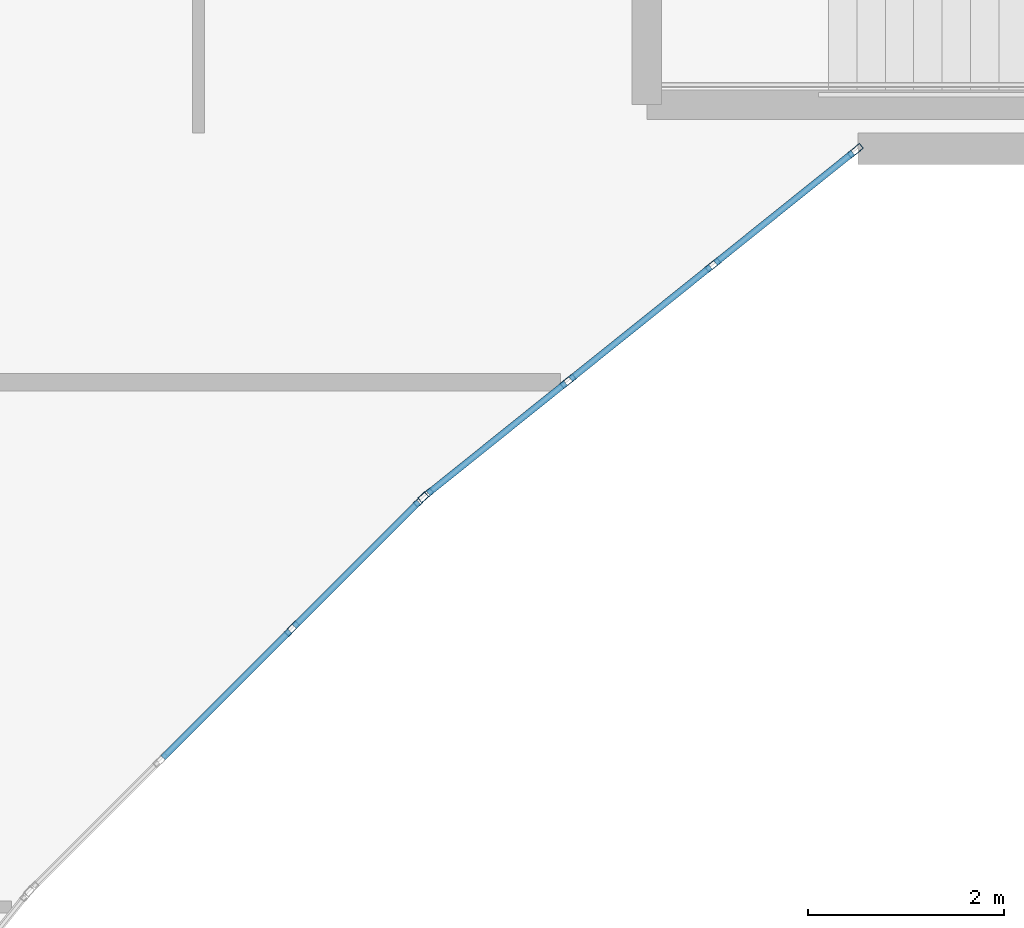
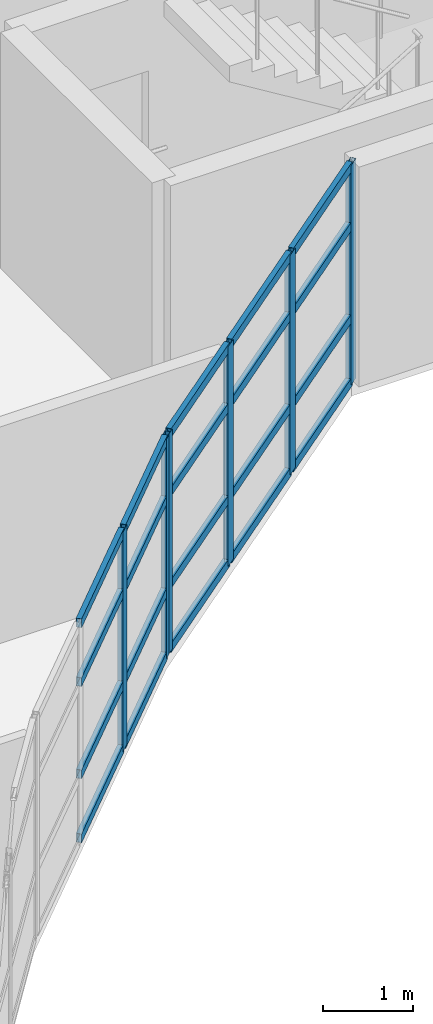
# One storey, part 16 of 72: 26 members, 2 elements without a shape of their own.
"""IFC4 building model written with IfcOpenShell, lengths in metres."""

import ifcopenshell
import ifcopenshell.guid

model = None  # the IFC model being written
_history = None  # IfcOwnerHistory: only IFC2X3 demands one
_inside = {}  # id of a spatial element -> (the spatial element, [elements in it])
_under = {}  # id of a project, library or spatial element -> (it, [spatial elements below it])
_declared = {}  # id of a project -> (the project, [libraries it declares])
_typed = {}  # id of a type object -> (the type object, [elements of that type])
_made_of = {}  # id of a material, layer set ... -> (it, [elements and type objects made of it])


def new_model(schema):
    """Start an empty IFC model of exactly this schema.

    Asked for "IFC4X3", IfcOpenShell would pick the latest addendum, in which some entities
    have other attributes; the version numbers below select the first issue.
    IFC2X3 requires an IfcOwnerHistory on every rooted entity: one is made here for all.
    """
    global model, _history
    if schema == "IFC4X3":
        model = ifcopenshell.file(schema_version=(4, 3, 0, 0))
    else:
        model = ifcopenshell.file(schema=schema)
    _inside.clear()
    _under.clear()
    _declared.clear()
    _typed.clear()
    _made_of.clear()
    _history = None
    if model.schema == "IFC2X3":
        org = make("IfcOrganization", Name="unknown")
        user = make(
            "IfcPersonAndOrganization",
            ThePerson=make("IfcPerson", FamilyName="unknown"),
            TheOrganization=org,
        )
        app = make(
            "IfcApplication",
            ApplicationDeveloper=org,
            Version="unknown",
            ApplicationFullName="unknown",
            ApplicationIdentifier="unknown",
        )
        _history = make(
            "IfcOwnerHistory",
            OwningUser=user,
            OwningApplication=app,
            ChangeAction="ADDED",
            CreationDate=0,
        )
    return model


def make(cls, **values):
    """One entity of the class cls with the attributes given. An attribute that is None is left unset."""
    return model.create_entity(
        cls, **{name: value for name, value in values.items() if value is not None}
    )


def rooted(cls, **values):
    """An entity with a GlobalId (a new one), such as an element, a storey or a relation."""
    return make(cls, GlobalId=ifcopenshell.guid.new(), OwnerHistory=_history, **values)


def si_unit(unit_type, name, prefix=None):
    """IfcSIUnit, for example si_unit("LENGTHUNIT", "METRE", prefix="MILLI")."""
    return make("IfcSIUnit", UnitType=unit_type, Prefix=prefix, Name=name)


def assignment(units):
    """IfcUnitAssignment: the units of a project."""
    return None if units is None else make("IfcUnitAssignment", Units=units)


def point(xyz):
    """IfcCartesianPoint."""
    return None if xyz is None else make("IfcCartesianPoint", Coordinates=xyz)


def direction(xyz):
    """IfcDirection."""
    return None if xyz is None else make("IfcDirection", DirectionRatios=xyz)


def frame(location, z_axis=None, x_axis=None):
    """IfcAxis2Placement3D, a coordinate frame: its origin and axes. An axis left out is left unset."""
    return make(
        "IfcAxis2Placement3D",
        Location=point(location),
        Axis=direction(z_axis),
        RefDirection=direction(x_axis),
    )


def frame_2d(location, x_axis=None):
    """IfcAxis2Placement2D, a coordinate frame in the plane: its origin and x axis."""
    return make(
        "IfcAxis2Placement2D", Location=point(location), RefDirection=direction(x_axis)
    )


def origin():
    """The frame at (0, 0, 0) with its axes left unset."""
    return frame((0.0, 0.0, 0.0))


def origin_2d():
    """The frame at (0, 0) in the plane with its x axis left unset."""
    return frame_2d((0.0, 0.0))


def place(relative_to, where):
    """IfcLocalPlacement: puts the frame where relative to a parent placement (None: the world)."""
    return make(
        "IfcLocalPlacement", PlacementRelTo=relative_to, RelativePlacement=where
    )


def context(
    kind, dimensions, precision=None, world=None, true_north=None, identifier=None
):
    """IfcGeometricRepresentationContext, for example the 3D "Model" context."""
    return make(
        "IfcGeometricRepresentationContext",
        ContextIdentifier=identifier,
        ContextType=kind,
        CoordinateSpaceDimension=dimensions,
        Precision=precision,
        WorldCoordinateSystem=world,
        TrueNorth=true_north,
    )


def subcontext(parent, identifier, kind, view, scale=None):
    """IfcGeometricRepresentationSubContext, for example "Body" below "Model"."""
    return make(
        "IfcGeometricRepresentationSubContext",
        ContextIdentifier=identifier,
        ContextType=kind,
        ParentContext=parent,
        TargetScale=scale,
        TargetView=view,
    )


def project(units=None, contexts=None):
    """IfcProject with its units and contexts."""
    return rooted(
        "IfcProject",
        Name="project",
        RepresentationContexts=contexts,
        UnitsInContext=assignment(units),
    )


def spatial(cls, under=None, at=None, **own):
    """A site, building, storey or space (cls), placed at a placement, below another one or the project."""
    s = rooted(cls, ObjectPlacement=at, **own)
    if under is not None:
        _under.setdefault(under.id(), (under, []))[1].append(s)
    return s


def profile(cls, at=None, kind="AREA", **sizes):
    """A parametric profile (cls). Its sizes go by their IFC names, for example OverallWidth=200.0."""
    return make(cls, ProfileType=kind, Position=at, **sizes)


def hollow_rectangle(**sizes):
    """IfcRectangleHollowProfileDef."""
    return profile("IfcRectangleHollowProfileDef", **sizes)


def extrude(swept, where, along, depth):
    """IfcExtrudedAreaSolid: the profile swept, set in the frame where, extruded along a direction by depth."""
    return make(
        "IfcExtrudedAreaSolid",
        SweptArea=swept,
        Position=where,
        ExtrudedDirection=direction(along),
        Depth=depth,
    )


def shape(context_of_items, identifier, shape_type, items):
    """IfcShapeRepresentation: the items that make up one representation, for example the "Body"."""
    return make(
        "IfcShapeRepresentation",
        ContextOfItems=context_of_items,
        RepresentationIdentifier=identifier,
        RepresentationType=shape_type,
        Items=items,
    )


def material(Name=None, Category=None):
    """IfcMaterial."""
    return make("IfcMaterial", Name=Name, Category=Category)


def layer(
    of_material, thickness, ventilated=None, Name=None, Category=None, Priority=None
):
    """IfcMaterialLayer: one layer of a wall or slab, of a material (None: an air gap)."""
    return make(
        "IfcMaterialLayer",
        Material=of_material,
        LayerThickness=thickness,
        IsVentilated=ventilated,
        Name=Name,
        Category=Category,
        Priority=Priority,
    )


def layer_set(layers, Name=None):
    """IfcMaterialLayerSet."""
    return make("IfcMaterialLayerSet", MaterialLayers=layers, LayerSetName=Name)


def material_profile(
    of_material, cross_section, Name=None, Category=None, Priority=None
):
    """IfcMaterialProfile: a cross section and its material."""
    return make(
        "IfcMaterialProfile",
        Name=Name,
        Material=of_material,
        Profile=cross_section,
        Priority=Priority,
        Category=Category,
    )


def profile_set(profiles, Name=None, composite=None):
    """IfcMaterialProfileSet."""
    return make(
        "IfcMaterialProfileSet",
        Name=Name,
        MaterialProfiles=profiles,
        CompositeProfile=composite,
    )


def made_of(thing, what):
    """Note that an element or type object is made of a material, layer set ...; save() writes the relation."""
    if what is not None:
        _made_of.setdefault(what.id(), (what, []))[1].append(thing)
    return thing


def type_object(cls, material=None, **own):
    """A type object (cls), such as IfcWallType, which elements share."""
    return made_of(rooted(cls, **own), material)


def element(
    cls,
    number,
    at=None,
    inside=None,
    cuts=None,
    type_object=None,
    material=None,
    context=None,
    identifier="Body",
    shape_type=None,
    held_by="IfcProductDefinitionShape",
    body=None,
    shapes=None,
    **own,
):
    """One element of the class cls, such as IfcWall. Its Tag is "e" and its number.

    at: its placement. inside: the storey or other place that contains it. cuts: it is an
    opening in that element (IfcRelVoidsElement). A single representation is given by context,
    identifier, shape_type and body (its items); several are given by shapes. held_by: the class
    of the entity that holds the representations. save() writes the other relations.
    """
    e = rooted(cls, Tag="e%d" % number, ObjectPlacement=at, **own)
    if body is not None:
        shapes = [shape(context, identifier, shape_type, body)]
    if shapes is not None:
        e.Representation = make(held_by, Representations=shapes)
    if inside is not None:
        _inside.setdefault(inside.id(), (inside, []))[1].append(e)
    if cuts is not None:
        rooted(
            "IfcRelVoidsElement", RelatingBuildingElement=cuts, RelatedOpeningElement=e
        )
    if type_object is not None:
        _typed.setdefault(type_object.id(), (type_object, []))[1].append(e)
    return made_of(e, material)


def aggregate(whole, parts):
    """IfcRelAggregates: a whole, such as a stair, and the parts it consists of."""
    return rooted("IfcRelAggregates", RelatingObject=whole, RelatedObjects=parts)


def save(model, path):
    """Write the relations noted so far, then the file.

    IfcRelAggregates (storeys below a building ...), IfcRelContainedInSpatialStructure (elements
    in a storey), IfcRelDefinesByType, IfcRelAssociatesMaterial and IfcRelDeclares: one each for
    every whole, place, type object, material and project.
    """
    for whole, parts in _under.values():
        aggregate(whole, parts)
    for where, things in _inside.values():
        rooted(
            "IfcRelContainedInSpatialStructure",
            RelatedElements=things,
            RelatingStructure=where,
        )
    for kind, things in _typed.values():
        rooted("IfcRelDefinesByType", RelatedObjects=things, RelatingType=kind)
    for what, things in _made_of.values():
        rooted("IfcRelAssociatesMaterial", RelatedObjects=things, RelatingMaterial=what)
    for by, libraries in _declared.values():
        rooted("IfcRelDeclares", RelatingContext=by, RelatedDefinitions=libraries)
    model.write(path)


model = new_model("IFC4")

# Units and contexts
model_context = context("Model", 3, precision=1e-05, world=origin(), true_north=direction((0.0, 1.0)))
body_context = subcontext(model_context, "Body", "Model", "MODEL_VIEW")
ifc_project = project(units=[si_unit("LENGTHUNIT", "METRE"), si_unit("AREAUNIT", "SQUARE_METRE"), si_unit("VOLUMEUNIT", "CUBIC_METRE"), si_unit("PLANEANGLEUNIT", "RADIAN"), si_unit("MASSUNIT", "GRAM", prefix="KILO")], contexts=[model_context])

# Site, building, storey
site_placement = place(None, origin())
site = spatial("IfcSite", under=ifc_project, at=site_placement, CompositionType="ELEMENT")
building_placement = place(site_placement, origin())
building = spatial("IfcBuilding", under=site, at=building_placement, Name="Keldmere Railside Commons", CompositionType="ELEMENT")
storey_placement = place(building_placement, frame((0.0, 0.0, 16.9599609375)))
storey = spatial("IfcBuildingStorey", under=building, at=storey_placement, Name="L05", CompositionType="ELEMENT", Elevation=16.9599609375)

# Curtain wall, members
ifc_material = material(Name="Thermally Broken Aluminium", Category="aluminium")
ifc_layer_1 = layer(ifc_material, 0.159912109375, Name="Court Chord Wintergarden CW 5400x2850")
ifc_layer_set_1 = layer_set([ifc_layer_1], Name="Thermally Broken Aluminium")
curtain_wall_type_1 = type_object("IfcCurtainWallType", Name="Court Chord Wintergarden CW 5400x2850", PredefinedType="NOTDEFINED", material=ifc_layer_set_1)
curtain_wall_1_placement = place(storey_placement, origin())
curtain_wall_1 = element("IfcCurtainWall", 1, at=curtain_wall_1_placement, inside=storey, type_object=curtain_wall_type_1, Name="CW-13 CW-L05-116", PredefinedType="NOTDEFINED")
ifc_material_profile_1 = material_profile(ifc_material, hollow_rectangle(XDim=0.06494140625, YDim=0.159912109375, WallThickness=0.00390625, at=origin_2d()), Name="ALU-MULL-65x160")
ifc_profile_set_1 = profile_set([ifc_material_profile_1], Name="Thermally Broken Aluminium")
member_type_1 = type_object("IfcMemberType", Name="Unitised Curtain Wall Mullion 65x160", PredefinedType="MULLION", material=ifc_profile_set_1)
member_1_placement = place(storey_placement, frame((127.547119140625, 96.423095703125, 0.0), z_axis=(0.0, 0.0, 1.0), x_axis=(0.707106781187, -0.707106781187, 0.0)))
member_1 = element("IfcMember", 2, at=member_1_placement, type_object=member_type_1, Name="CW-13 mullion 1", PredefinedType="MULLION", context=body_context, shape_type="SweptSolid", body=[
    extrude(hollow_rectangle(XDim=0.06494140625, YDim=0.159912109375, WallThickness=0.00390625, at=origin_2d()), origin(), (0.0, 0.0, 1.0), 2.97998046875),
])
member_2_placement = place(storey_placement, frame((126.2314453125, 95.107421875, 0.0), z_axis=(0.0, 0.0, 1.0), x_axis=(0.707106781187, -0.707106781187, 0.0)))
member_2 = element("IfcMember", 3, at=member_2_placement, type_object=member_type_1, Name="CW-13 mullion 2", PredefinedType="MULLION", context=body_context, shape_type="SweptSolid", body=[
    extrude(hollow_rectangle(XDim=0.06494140625, YDim=0.159912109375, WallThickness=0.00390625, at=origin_2d()), origin(), (0.0, 0.0, 1.0), 2.97998046875),
])

ifc_layer_2 = layer(ifc_material, 0.159912109375, Name="Court Chord Wintergarden CW 4800x2850")
ifc_layer_set_2 = layer_set([ifc_layer_2], Name="Thermally Broken Aluminium")
curtain_wall_type_2 = type_object("IfcCurtainWallType", Name="Court Chord Wintergarden CW 4800x2850", PredefinedType="NOTDEFINED", material=ifc_layer_set_2)
curtain_wall_2_placement = place(storey_placement, origin())
curtain_wall_2 = element("IfcCurtainWall", 4, at=curtain_wall_2_placement, inside=storey, type_object=curtain_wall_type_2, Name="CW-12 CW-L05-117", PredefinedType="NOTDEFINED")
member_3_placement = place(storey_placement, frame((131.974609375, 99.979736328125, 0.0), z_axis=(0.0, 0.0, 1.0), x_axis=(0.625768080915, -0.780009172323, 0.0)))
member_3 = element("IfcMember", 5, at=member_3_placement, type_object=member_type_1, Name="CW-12 mullion 1", PredefinedType="MULLION", context=body_context, shape_type="SweptSolid", body=[
    extrude(hollow_rectangle(XDim=0.06494140625, YDim=0.159912109375, WallThickness=0.00390625, at=origin_2d()), origin(), (0.0, 0.0, 1.0), 2.97998046875),
])
member_4_placement = place(storey_placement, frame((130.5234375, 98.8154296875, 0.0), z_axis=(0.0, 0.0, 1.0), x_axis=(0.625768080915, -0.780009172323, 0.0)))
member_4 = element("IfcMember", 6, at=member_4_placement, type_object=member_type_1, Name="CW-12 mullion 2", PredefinedType="MULLION", context=body_context, shape_type="SweptSolid", body=[
    extrude(hollow_rectangle(XDim=0.06494140625, YDim=0.159912109375, WallThickness=0.00390625, at=origin_2d()), origin(), (0.0, 0.0, 1.0), 2.97998046875),
])
member_5_placement = place(storey_placement, frame((129.046630859375, 97.630615234375, 0.0), z_axis=(0.0, 0.0, 1.0), x_axis=(0.625768080915, -0.780009172323, 0.0)))
member_5 = element("IfcMember", 7, at=member_5_placement, type_object=member_type_1, Name="CW-12 mullion 3", PredefinedType="MULLION", context=body_context, shape_type="SweptSolid", body=[
    extrude(hollow_rectangle(XDim=0.06494140625, YDim=0.159912109375, WallThickness=0.00390625, at=origin_2d()), origin(), (0.0, 0.0, 1.0), 2.97998046875),
])
member_6_placement = place(storey_placement, frame((127.595458984375, 96.46630859375, 0.0), z_axis=(0.0, 0.0, 1.0), x_axis=(0.625768080915, -0.780009172323, 0.0)))
member_6 = element("IfcMember", 8, at=member_6_placement, type_object=member_type_1, Name="CW-12 mullion 4", PredefinedType="MULLION", context=body_context, shape_type="SweptSolid", body=[
    extrude(hollow_rectangle(XDim=0.06494140625, YDim=0.159912109375, WallThickness=0.00390625, at=origin_2d()), origin(), (0.0, 0.0, 1.0), 2.97998046875),
])

# Member
ifc_material_profile_2 = material_profile(ifc_material, hollow_rectangle(XDim=0.06494140625, YDim=0.1201171875, WallThickness=0.00390625, at=origin_2d()), Name="ALU-TRAN-65x120")
ifc_profile_set_2 = profile_set([ifc_material_profile_2], Name="Thermally Broken Aluminium")
member_type_2 = type_object("IfcMemberType", Name="Unitised Curtain Wall Transom 65x120", PredefinedType="USERDEFINED", material=ifc_profile_set_2)
member_7_placement = place(storey_placement, frame((127.52392578125, 96.400146484375, 0.032470703125), z_axis=(-0.707038793419, -0.707174762418, 0.0), x_axis=(0.707174762418, -0.707038793419, 0.0)))
member_7 = element("IfcMember", 9, at=member_7_placement, type_object=member_type_2, Name="CW-13 transom 1.1", ObjectType="TRANSOM", PredefinedType="USERDEFINED", context=body_context, shape_type="SweptSolid", body=[
    extrude(hollow_rectangle(XDim=0.06494140625, YDim=0.1201171875, WallThickness=0.00390625, at=origin_2d()), origin(), (0.0, 0.0, 1.0), 1.795654296875),
])

member_8_placement = place(storey_placement, frame((127.52392578125, 96.400146484375, 0.900146484375), z_axis=(-0.707038793419, -0.707174762418, 0.0), x_axis=(0.707174762418, -0.707038793419, 0.0)))
member_8 = element("IfcMember", 10, at=member_8_placement, type_object=member_type_2, Name="CW-13 transom 1.2", ObjectType="TRANSOM", PredefinedType="USERDEFINED", context=body_context, shape_type="SweptSolid", body=[
    extrude(hollow_rectangle(XDim=0.06494140625, YDim=0.1201171875, WallThickness=0.00390625, at=origin_2d()), origin(), (0.0, 0.0, 1.0), 1.795654296875),
])

member_9_placement = place(storey_placement, frame((127.52392578125, 96.400146484375, 2.150146484375), z_axis=(-0.707038793419, -0.707174762418, 0.0), x_axis=(0.707174762418, -0.707038793419, 0.0)))
member_9 = element("IfcMember", 11, at=member_9_placement, type_object=member_type_2, Name="CW-13 transom 1.3", ObjectType="TRANSOM", PredefinedType="USERDEFINED", context=body_context, shape_type="SweptSolid", body=[
    extrude(hollow_rectangle(XDim=0.06494140625, YDim=0.1201171875, WallThickness=0.00390625, at=origin_2d()), origin(), (0.0, 0.0, 1.0), 1.795654296875),
])

member_10_placement = place(storey_placement, frame((127.52392578125, 96.400146484375, 2.947509765625), z_axis=(-0.707038793419, -0.707174762418, 0.0), x_axis=(0.707174762418, -0.707038793419, 0.0)))
member_10 = element("IfcMember", 12, at=member_10_placement, type_object=member_type_2, Name="CW-13 transom 1.4", ObjectType="TRANSOM", PredefinedType="USERDEFINED", context=body_context, shape_type="SweptSolid", body=[
    extrude(hollow_rectangle(XDim=0.06494140625, YDim=0.1201171875, WallThickness=0.00390625, at=origin_2d()), origin(), (0.0, 0.0, 1.0), 1.795654296875),
])

member_11_placement = place(storey_placement, frame((126.208251953125, 95.08447265625, 0.032470703125), z_axis=(-0.707106781187, -0.707106781187, 0.0), x_axis=(0.707106781187, -0.707106781187, 0.0)))
member_11 = element("IfcMember", 13, at=member_11_placement, type_object=member_type_2, Name="CW-13 transom 2.1", ObjectType="TRANSOM", PredefinedType="USERDEFINED", context=body_context, shape_type="SweptSolid", body=[
    extrude(hollow_rectangle(XDim=0.06494140625, YDim=0.1201171875, WallThickness=0.00390625, at=origin_2d()), origin(), (0.0, 0.0, 1.0), 1.828125),
])

member_12_placement = place(storey_placement, frame((126.208251953125, 95.08447265625, 0.900146484375), z_axis=(-0.707106781187, -0.707106781187, 0.0), x_axis=(0.707106781187, -0.707106781187, 0.0)))
member_12 = element("IfcMember", 14, at=member_12_placement, type_object=member_type_2, Name="CW-13 transom 2.2", ObjectType="TRANSOM", PredefinedType="USERDEFINED", context=body_context, shape_type="SweptSolid", body=[
    extrude(hollow_rectangle(XDim=0.06494140625, YDim=0.1201171875, WallThickness=0.00390625, at=origin_2d()), origin(), (0.0, 0.0, 1.0), 1.828125),
])

member_13_placement = place(storey_placement, frame((126.208251953125, 95.08447265625, 2.150146484375), z_axis=(-0.707106781187, -0.707106781187, 0.0), x_axis=(0.707106781187, -0.707106781187, 0.0)))
member_13 = element("IfcMember", 15, at=member_13_placement, type_object=member_type_2, Name="CW-13 transom 2.3", ObjectType="TRANSOM", PredefinedType="USERDEFINED", context=body_context, shape_type="SweptSolid", body=[
    extrude(hollow_rectangle(XDim=0.06494140625, YDim=0.1201171875, WallThickness=0.00390625, at=origin_2d()), origin(), (0.0, 0.0, 1.0), 1.828125),
])

member_14_placement = place(storey_placement, frame((126.208251953125, 95.08447265625, 2.947509765625), z_axis=(-0.707106781187, -0.707106781187, 0.0), x_axis=(0.707106781187, -0.707106781187, 0.0)))
member_14 = element("IfcMember", 16, at=member_14_placement, type_object=member_type_2, Name="CW-13 transom 2.4", ObjectType="TRANSOM", PredefinedType="USERDEFINED", context=body_context, shape_type="SweptSolid", body=[
    extrude(hollow_rectangle(XDim=0.06494140625, YDim=0.1201171875, WallThickness=0.00390625, at=origin_2d()), origin(), (0.0, 0.0, 1.0), 1.828125),
])

aggregate(curtain_wall_1, [member_1, member_2, member_7, member_8, member_9, member_10, member_11, member_12, member_13, member_14])

member_15_placement = place(storey_placement, frame((131.94921875, 99.959228515625, 0.032470703125), z_axis=(-0.780045694992, -0.625722553313, 0.0), x_axis=(0.625722553313, -0.780045694992, 0.0)))
member_15 = element("IfcMember", 17, at=member_15_placement, type_object=member_type_2, Name="CW-12 transom 1.1", ObjectType="TRANSOM", PredefinedType="USERDEFINED", context=body_context, shape_type="SweptSolid", body=[
    extrude(hollow_rectangle(XDim=0.06494140625, YDim=0.1201171875, WallThickness=0.00390625, at=origin_2d()), origin(), (0.0, 0.0, 1.0), 1.795654296875),
])

member_16_placement = place(storey_placement, frame((131.94921875, 99.959228515625, 0.900146484375), z_axis=(-0.780045694992, -0.625722553313, 0.0), x_axis=(0.625722553313, -0.780045694992, 0.0)))
member_16 = element("IfcMember", 18, at=member_16_placement, type_object=member_type_2, Name="CW-12 transom 1.2", ObjectType="TRANSOM", PredefinedType="USERDEFINED", context=body_context, shape_type="SweptSolid", body=[
    extrude(hollow_rectangle(XDim=0.06494140625, YDim=0.1201171875, WallThickness=0.00390625, at=origin_2d()), origin(), (0.0, 0.0, 1.0), 1.795654296875),
])

member_17_placement = place(storey_placement, frame((131.94921875, 99.959228515625, 2.150146484375), z_axis=(-0.780045694992, -0.625722553313, 0.0), x_axis=(0.625722553313, -0.780045694992, 0.0)))
member_17 = element("IfcMember", 19, at=member_17_placement, type_object=member_type_2, Name="CW-12 transom 1.3", ObjectType="TRANSOM", PredefinedType="USERDEFINED", context=body_context, shape_type="SweptSolid", body=[
    extrude(hollow_rectangle(XDim=0.06494140625, YDim=0.1201171875, WallThickness=0.00390625, at=origin_2d()), origin(), (0.0, 0.0, 1.0), 1.795654296875),
])

member_18_placement = place(storey_placement, frame((131.94921875, 99.959228515625, 2.947509765625), z_axis=(-0.780045694992, -0.625722553313, 0.0), x_axis=(0.625722553313, -0.780045694992, 0.0)))
member_18 = element("IfcMember", 20, at=member_18_placement, type_object=member_type_2, Name="CW-12 transom 1.4", ObjectType="TRANSOM", PredefinedType="USERDEFINED", context=body_context, shape_type="SweptSolid", body=[
    extrude(hollow_rectangle(XDim=0.06494140625, YDim=0.1201171875, WallThickness=0.00390625, at=origin_2d()), origin(), (0.0, 0.0, 1.0), 1.795654296875),
])

member_19_placement = place(storey_placement, frame((130.498046875, 98.794921875, 0.032470703125), z_axis=(-0.78007338409, -0.625688033635, 0.0), x_axis=(0.625688033635, -0.78007338409, 0.0)))
member_19 = element("IfcMember", 21, at=member_19_placement, type_object=member_type_2, Name="CW-12 transom 2.1", ObjectType="TRANSOM", PredefinedType="USERDEFINED", context=body_context, shape_type="SweptSolid", body=[
    extrude(hollow_rectangle(XDim=0.06494140625, YDim=0.1201171875, WallThickness=0.00390625, at=origin_2d()), origin(), (0.0, 0.0, 1.0), 1.828125),
])

member_20_placement = place(storey_placement, frame((130.498046875, 98.794921875, 0.900146484375), z_axis=(-0.78007338409, -0.625688033635, 0.0), x_axis=(0.625688033635, -0.78007338409, 0.0)))
member_20 = element("IfcMember", 22, at=member_20_placement, type_object=member_type_2, Name="CW-12 transom 2.2", ObjectType="TRANSOM", PredefinedType="USERDEFINED", context=body_context, shape_type="SweptSolid", body=[
    extrude(hollow_rectangle(XDim=0.06494140625, YDim=0.1201171875, WallThickness=0.00390625, at=origin_2d()), origin(), (0.0, 0.0, 1.0), 1.828125),
])

member_21_placement = place(storey_placement, frame((130.498046875, 98.794921875, 2.150146484375), z_axis=(-0.78007338409, -0.625688033635, 0.0), x_axis=(0.625688033635, -0.78007338409, 0.0)))
member_21 = element("IfcMember", 23, at=member_21_placement, type_object=member_type_2, Name="CW-12 transom 2.3", ObjectType="TRANSOM", PredefinedType="USERDEFINED", context=body_context, shape_type="SweptSolid", body=[
    extrude(hollow_rectangle(XDim=0.06494140625, YDim=0.1201171875, WallThickness=0.00390625, at=origin_2d()), origin(), (0.0, 0.0, 1.0), 1.828125),
])

member_22_placement = place(storey_placement, frame((130.498046875, 98.794921875, 2.947509765625), z_axis=(-0.78007338409, -0.625688033635, 0.0), x_axis=(0.625688033635, -0.78007338409, 0.0)))
member_22 = element("IfcMember", 24, at=member_22_placement, type_object=member_type_2, Name="CW-12 transom 2.4", ObjectType="TRANSOM", PredefinedType="USERDEFINED", context=body_context, shape_type="SweptSolid", body=[
    extrude(hollow_rectangle(XDim=0.06494140625, YDim=0.1201171875, WallThickness=0.00390625, at=origin_2d()), origin(), (0.0, 0.0, 1.0), 1.828125),
])

member_23_placement = place(storey_placement, frame((129.021240234375, 97.6103515625, 0.032470703125), z_axis=(-0.779979331565, -0.625805275091, 0.0), x_axis=(0.625805275091, -0.779979331565, 0.0)))
member_23 = element("IfcMember", 25, at=member_23_placement, type_object=member_type_2, Name="CW-12 transom 3.1", ObjectType="TRANSOM", PredefinedType="USERDEFINED", context=body_context, shape_type="SweptSolid", body=[
    extrude(hollow_rectangle(XDim=0.06494140625, YDim=0.1201171875, WallThickness=0.00390625, at=origin_2d()), origin(), (0.0, 0.0, 1.0), 1.795654296875),
])

member_24_placement = place(storey_placement, frame((129.021240234375, 97.6103515625, 0.900146484375), z_axis=(-0.779979331565, -0.625805275091, 0.0), x_axis=(0.625805275091, -0.779979331565, 0.0)))
member_24 = element("IfcMember", 26, at=member_24_placement, type_object=member_type_2, Name="CW-12 transom 3.2", ObjectType="TRANSOM", PredefinedType="USERDEFINED", context=body_context, shape_type="SweptSolid", body=[
    extrude(hollow_rectangle(XDim=0.06494140625, YDim=0.1201171875, WallThickness=0.00390625, at=origin_2d()), origin(), (0.0, 0.0, 1.0), 1.795654296875),
])

member_25_placement = place(storey_placement, frame((129.021240234375, 97.6103515625, 2.150146484375), z_axis=(-0.779979331565, -0.625805275091, 0.0), x_axis=(0.625805275091, -0.779979331565, 0.0)))
member_25 = element("IfcMember", 27, at=member_25_placement, type_object=member_type_2, Name="CW-12 transom 3.3", ObjectType="TRANSOM", PredefinedType="USERDEFINED", context=body_context, shape_type="SweptSolid", body=[
    extrude(hollow_rectangle(XDim=0.06494140625, YDim=0.1201171875, WallThickness=0.00390625, at=origin_2d()), origin(), (0.0, 0.0, 1.0), 1.795654296875),
])

member_26_placement = place(storey_placement, frame((129.021240234375, 97.6103515625, 2.947509765625), z_axis=(-0.779979331565, -0.625805275091, 0.0), x_axis=(0.625805275091, -0.779979331565, 0.0)))
member_26 = element("IfcMember", 28, at=member_26_placement, type_object=member_type_2, Name="CW-12 transom 3.4", ObjectType="TRANSOM", PredefinedType="USERDEFINED", context=body_context, shape_type="SweptSolid", body=[
    extrude(hollow_rectangle(XDim=0.06494140625, YDim=0.1201171875, WallThickness=0.00390625, at=origin_2d()), origin(), (0.0, 0.0, 1.0), 1.795654296875),
])

aggregate(curtain_wall_2, [member_3, member_4, member_5, member_6, member_15, member_16, member_17, member_18, member_19, member_20, member_21, member_22, member_23, member_24, member_25, member_26])

save(model, "model.ifc")
